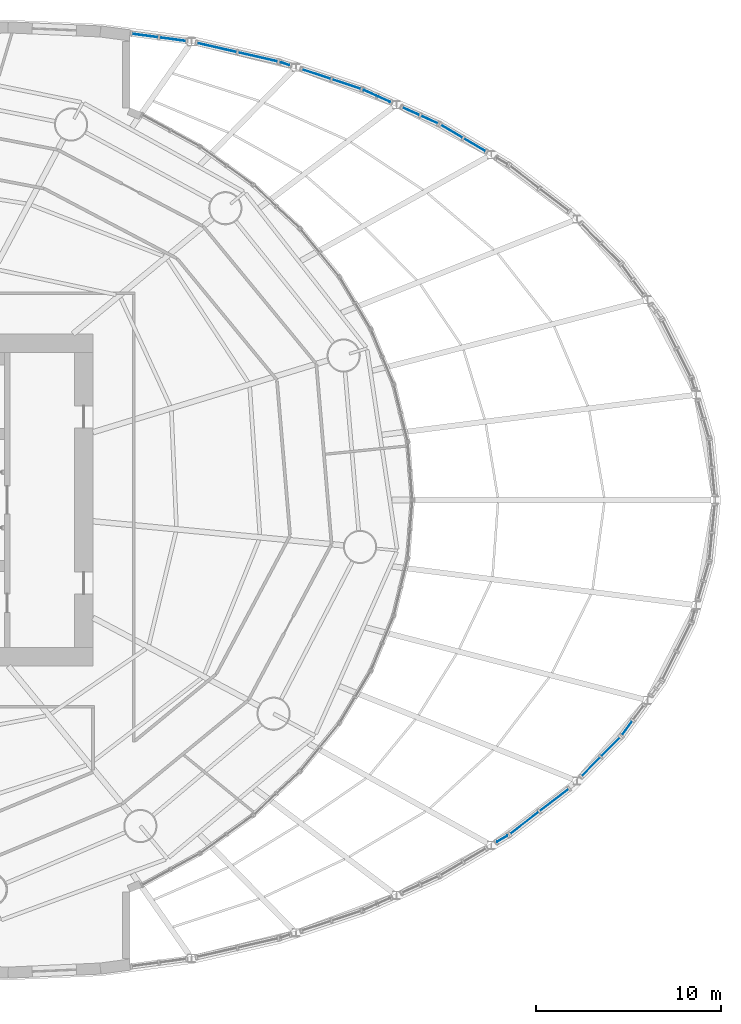
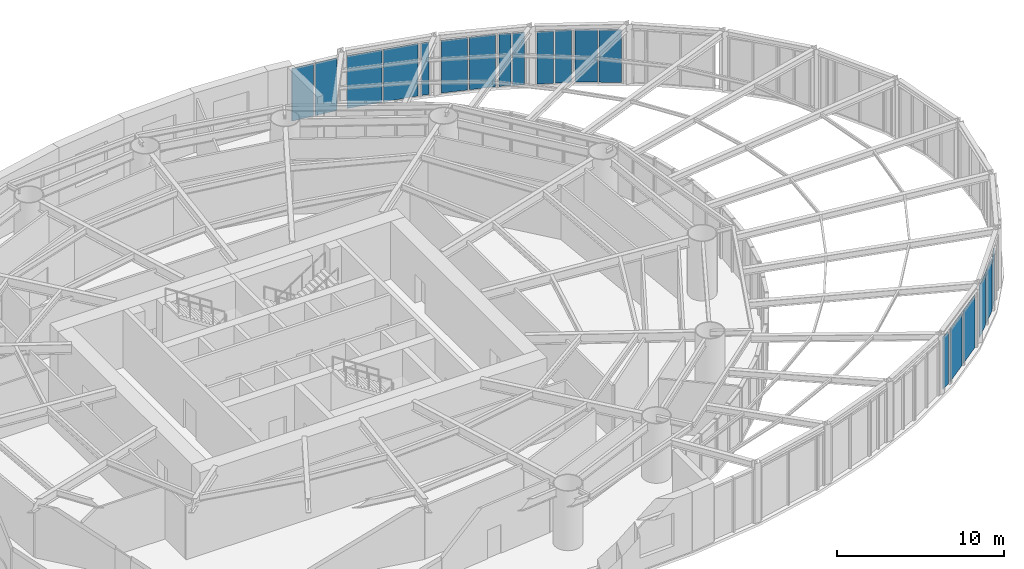
# One storey, part 16 of 23: 19 plates, 11 elements without a shape of their own.
"""IFC4 building model written with IfcOpenShell, lengths in metres."""

from ifc_helpers import new_model, si_unit, direction, frame, origin, origin_2d, place, context, subcontext, project, spatial, rectangle, extrude, material, layer, layer_set, type_object, element, aggregate, save


model = new_model("IFC4")

# Units and contexts
model_context = context("Model", 3, precision=1e-05, world=origin(), true_north=direction((0.0, 1.0)))
body_context = subcontext(model_context, "Body", "Model", "MODEL_VIEW")
ifc_project = project(units=[si_unit("LENGTHUNIT", "METRE"), si_unit("AREAUNIT", "SQUARE_METRE"), si_unit("VOLUMEUNIT", "CUBIC_METRE"), si_unit("PLANEANGLEUNIT", "RADIAN"), si_unit("MASSUNIT", "GRAM", prefix="KILO")], contexts=[model_context])

# Site, building, storey
site_placement = place(None, origin())
site = spatial("IfcSite", under=ifc_project, at=site_placement, CompositionType="ELEMENT")
building_placement = place(site_placement, origin())
building = spatial("IfcBuilding", under=site, at=building_placement, Name="Vermilion Reach Broadcast Tower", CompositionType="ELEMENT")
storey_placement = place(building_placement, frame((0.0, 0.0, 31.5)))
storey = spatial("IfcBuildingStorey", under=building, at=storey_placement, Name="L04", CompositionType="ELEMENT", Elevation=31.5)

# Curtain wall, plate
ifc_material_1 = material(Name="Low-e laminated clear glass in aluminium frame", Category="aluminium")
curtain_wall_type = type_object("IfcCurtainWallType", Name="Atrium outer wall curtain wall", PredefinedType="NOTDEFINED", material=ifc_material_1)
placement = place(storey_placement, origin())
curtain_wall_1 = element("IfcCurtainWall", 1, at=placement, inside=storey, type_object=curtain_wall_type, Name="Atrium wall L04 05-2", PredefinedType="NOTDEFINED")
ifc_material_2 = material(Name="Low-e laminated clear glass", Category="glass")
ifc_layer = layer(ifc_material_2, 0.035888671875)
ifc_layer_set = layer_set([ifc_layer], Name="Atrium outer wall glass panel")
plate_type = type_object("IfcPlateType", Name="Atrium outer wall glass panel", PredefinedType="CURTAIN_PANEL", material=ifc_layer_set)
plate_1_placement = place(storey_placement, frame((28.166748046875, -18.348876953125, 0.0), z_axis=(0.0, 0.0, 1.0), x_axis=(0.861009057017, 0.508589622127, 0.0)))
plate_1 = element("IfcPlate", 2, at=plate_1_placement, type_object=plate_type, Name="Atrium wall glass panel L04 05-2.1.1", PredefinedType="CURTAIN_PANEL", context=body_context, shape_type="SweptSolid", body=[
    extrude(rectangle(XDim=0.636474609375, YDim=0.035888671875, at=origin_2d()), origin(), (0.0, 0.0, 1.0), 3.840087890625),
])
aggregate(curtain_wall_1, [plate_1])

# Curtain wall, plates
curtain_wall_2 = element("IfcCurtainWall", 3, at=placement, inside=storey, type_object=curtain_wall_type, Name="Atrium wall L04 06", PredefinedType="NOTDEFINED")
plate_2_placement = place(storey_placement, frame((29.37158203125, -17.4873046875, 0.0), z_axis=(0.0, 0.0, 1.0), x_axis=(0.793082736826, 0.609113924113, 0.0)))
plate_2 = element("IfcPlate", 4, at=plate_2_placement, type_object=plate_type, Name="Atrium wall glass panel L04 06.1.1", PredefinedType="CURTAIN_PANEL", context=body_context, shape_type="SweptSolid", body=[
    extrude(rectangle(XDim=1.9296875, YDim=0.035888671875, at=origin_2d()), origin(), (0.0, 0.0, 1.0), 3.840087890625),
])
plate_3_placement = place(storey_placement, frame((30.981201171875, -16.2509765625, 0.0), z_axis=(0.0, 0.0, 1.0), x_axis=(0.793082736826, 0.609113924113, 0.0)))
plate_3 = element("IfcPlate", 5, at=plate_3_placement, type_object=plate_type, Name="Atrium wall glass panel L04 06.2.1", PredefinedType="CURTAIN_PANEL", context=body_context, shape_type="SweptSolid", body=[
    extrude(rectangle(XDim=1.9296875, YDim=0.035888671875, at=origin_2d()), origin(), (0.0, 0.0, 1.0), 3.840087890625),
])
aggregate(curtain_wall_2, [plate_2, plate_3])

curtain_wall_3 = element("IfcCurtainWall", 6, at=placement, inside=storey, type_object=curtain_wall_type, Name="Atrium wall L04 07", PredefinedType="NOTDEFINED")
plate_4_placement = place(storey_placement, frame((32.971435546875, -14.447509765625, 0.0), z_axis=(0.0, 0.0, 1.0), x_axis=(0.704276337997, 0.709925939614, 0.0)))
plate_4 = element("IfcPlate", 7, at=plate_4_placement, type_object=plate_type, Name="Atrium wall glass panel L04 07.1.1", PredefinedType="CURTAIN_PANEL", context=body_context, shape_type="SweptSolid", body=[
    extrude(rectangle(XDim=1.4091796875, YDim=0.035888671875, at=origin_2d()), origin(), (0.0, 0.0, 1.0), 3.840087890625),
])
plate_5_placement = place(storey_placement, frame((34.034423828125, -13.3759765625, 0.0), z_axis=(0.0, 0.0, 1.0), x_axis=(0.704276337997, 0.709925939614, 0.0)))
plate_5 = element("IfcPlate", 8, at=plate_5_placement, type_object=plate_type, Name="Atrium wall glass panel L04 07.2.1", PredefinedType="CURTAIN_PANEL", context=body_context, shape_type="SweptSolid", body=[
    extrude(rectangle(XDim=1.4091796875, YDim=0.035888671875, at=origin_2d()), origin(), (0.0, 0.0, 1.0), 3.840087890625),
])
aggregate(curtain_wall_3, [plate_4, plate_5])

# Curtain wall, plate
curtain_wall_4 = element("IfcCurtainWall", 9, at=placement, inside=storey, type_object=curtain_wall_type, Name="Atrium wall L04 08-1", PredefinedType="NOTDEFINED")
plate_6_placement = place(storey_placement, frame((34.93359375, -12.3505859375, 0.0), z_axis=(0.0, 0.0, 1.0), x_axis=(0.590759824697, 0.806847463604, 0.0)))
plate_6 = element("IfcPlate", 10, at=plate_6_placement, type_object=plate_type, Name="Atrium wall glass panel L04 08-1.1.1", PredefinedType="CURTAIN_PANEL", context=body_context, shape_type="SweptSolid", body=[
    extrude(rectangle(XDim=0.92578125, YDim=0.035888671875, at=origin_2d()), origin(), (0.0, 0.0, 1.0), 3.840087890625),
])
aggregate(curtain_wall_4, [plate_6])

# Curtain wall, plates
curtain_wall_5 = element("IfcCurtainWall", 11, at=placement, inside=storey, type_object=curtain_wall_type, Name="Atrium wall L04 18-2", PredefinedType="NOTDEFINED")
plate_7_placement = place(storey_placement, frame((26.669677734375, 19.233154296875, 0.0), z_axis=(0.0, 0.0, 1.0), x_axis=(-0.861009057017, 0.508589622127, 0.0)))
plate_7 = element("IfcPlate", 12, at=plate_7_placement, type_object=plate_type, Name="Atrium wall glass panel L04 18-2.1.1", PredefinedType="CURTAIN_PANEL", context=body_context, shape_type="SweptSolid", body=[
    extrude(rectangle(XDim=1.344970703125, YDim=0.035888671875, at=origin_2d()), origin(), (0.0, 0.0, 1.0), 3.840087890625),
])
plate_8_placement = place(storey_placement, frame((25.42578125, 19.968017578125, 0.0), z_axis=(0.0, 0.0, 1.0), x_axis=(-0.861009057017, 0.508589622127, 0.0)))
plate_8 = element("IfcPlate", 13, at=plate_8_placement, type_object=plate_type, Name="Atrium wall glass panel L04 18-2.2.1", PredefinedType="CURTAIN_PANEL", context=body_context, shape_type="SweptSolid", body=[
    extrude(rectangle(XDim=1.344970703125, YDim=0.035888671875, at=origin_2d()), origin(), (0.0, 0.0, 1.0), 3.840087890625),
])
aggregate(curtain_wall_5, [plate_7, plate_8])

curtain_wall_6 = element("IfcCurtainWall", 14, at=placement, inside=storey, type_object=curtain_wall_type, Name="Atrium wall L04 19-1", PredefinedType="NOTDEFINED")
plate_9_placement = place(storey_placement, frame((24.218017578125, 20.60498046875, 0.0), z_axis=(0.0, 0.0, 1.0), x_axis=(-0.911902064418, 0.410407876277, 0.0)))
plate_9 = element("IfcPlate", 15, at=plate_9_placement, type_object=plate_type, Name="Atrium wall glass panel L04 19-1.1.1", PredefinedType="CURTAIN_PANEL", context=body_context, shape_type="SweptSolid", body=[
    extrude(rectangle(XDim=0.990234375, YDim=0.035888671875, at=origin_2d()), origin(), (0.0, 0.0, 1.0), 3.840087890625),
])
plate_10_placement = place(storey_placement, frame((23.223876953125, 21.052490234375, 0.0), z_axis=(0.0, 0.0, 1.0), x_axis=(-0.911902064418, 0.410407876277, 0.0)))
plate_10 = element("IfcPlate", 16, at=plate_10_placement, type_object=plate_type, Name="Atrium wall glass panel L04 19-1.2.1", PredefinedType="CURTAIN_PANEL", context=body_context, shape_type="SweptSolid", body=[
    extrude(rectangle(XDim=0.990234375, YDim=0.035888671875, at=origin_2d()), origin(), (0.0, 0.0, 1.0), 3.840087890625),
])
aggregate(curtain_wall_6, [plate_9, plate_10])

curtain_wall_7 = element("IfcCurtainWall", 17, at=placement, inside=storey, type_object=curtain_wall_type, Name="Atrium wall L04 19-2", PredefinedType="NOTDEFINED")
plate_11_placement = place(storey_placement, frame((21.76123046875, 21.710693359375, 0.0), z_axis=(0.0, 0.0, 1.0), x_axis=(-0.911902064418, 0.410407876277, 0.0)))
plate_11 = element("IfcPlate", 18, at=plate_11_placement, type_object=plate_type, Name="Atrium wall glass panel L04 19-2.1.1", PredefinedType="CURTAIN_PANEL", context=body_context, shape_type="SweptSolid", body=[
    extrude(rectangle(XDim=0.721923828125, YDim=0.035888671875, at=origin_2d()), origin(), (0.0, 0.0, 1.0), 3.840087890625),
])
plate_12_placement = place(storey_placement, frame((21.01171875, 22.048095703125, 0.0), z_axis=(0.0, 0.0, 1.0), x_axis=(-0.911902064418, 0.410407876277, 0.0)))
plate_12 = element("IfcPlate", 19, at=plate_12_placement, type_object=plate_type, Name="Atrium wall glass panel L04 19-2.2.1", PredefinedType="CURTAIN_PANEL", context=body_context, shape_type="SweptSolid", body=[
    extrude(rectangle(XDim=0.721923828125, YDim=0.035888671875, at=origin_2d()), origin(), (0.0, 0.0, 1.0), 3.840087890625),
])
aggregate(curtain_wall_7, [plate_11, plate_12])

curtain_wall_8 = element("IfcCurtainWall", 20, at=placement, inside=storey, type_object=curtain_wall_type, Name="Atrium wall L04 20-1", PredefinedType="NOTDEFINED")
plate_13_placement = place(storey_placement, frame((19.73095703125, 22.52294921875, 0.0), z_axis=(0.0, 0.0, 1.0), x_axis=(-0.949015935462, 0.315228098746, 0.0)))
plate_13 = element("IfcPlate", 21, at=plate_13_placement, type_object=plate_type, Name="Atrium wall glass panel L04 20-1.1.1", PredefinedType="CURTAIN_PANEL", context=body_context, shape_type="SweptSolid", body=[
    extrude(rectangle(XDim=1.61328125, YDim=0.035888671875, at=origin_2d()), origin(), (0.0, 0.0, 1.0), 3.840087890625),
])
plate_14_placement = place(storey_placement, frame((18.10498046875, 23.06298828125, 0.0), z_axis=(0.0, 0.0, 1.0), x_axis=(-0.949015935462, 0.315228098746, 0.0)))
plate_14 = element("IfcPlate", 22, at=plate_14_placement, type_object=plate_type, Name="Atrium wall glass panel L04 20-1.2.1", PredefinedType="CURTAIN_PANEL", context=body_context, shape_type="SweptSolid", body=[
    extrude(rectangle(XDim=1.61328125, YDim=0.035888671875, at=origin_2d()), origin(), (0.0, 0.0, 1.0), 3.840087890625),
])
aggregate(curtain_wall_8, [plate_13, plate_14])

# Curtain wall, plate
curtain_wall_9 = element("IfcCurtainWall", 23, at=placement, inside=storey, type_object=curtain_wall_type, Name="Atrium wall L04 20-2", PredefinedType="NOTDEFINED")
plate_15_placement = place(storey_placement, frame((16.40771484375, 23.626708984375, 0.0), z_axis=(0.0, 0.0, 1.0), x_axis=(-0.949015935462, 0.315228098746, 0.0)))
plate_15 = element("IfcPlate", 24, at=plate_15_placement, type_object=plate_type, Name="Atrium wall glass panel L04 20-2.1.1", PredefinedType="CURTAIN_PANEL", context=body_context, shape_type="SweptSolid", body=[
    extrude(rectangle(XDim=0.467529296875, YDim=0.035888671875, at=origin_2d()), origin(), (0.0, 0.0, 1.0), 3.840087890625),
])
aggregate(curtain_wall_9, [plate_15])

# Curtain wall, plates
curtain_wall_10 = element("IfcCurtainWall", 25, at=placement, inside=storey, type_object=curtain_wall_type, Name="Atrium wall L04 21", PredefinedType="NOTDEFINED")
plate_16_placement = place(storey_placement, frame((14.930419921875, 23.997314453125, 0.0), z_axis=(0.0, 0.0, 1.0), x_axis=(-0.974843253478, 0.222891523278, 0.0)))
plate_16 = element("IfcPlate", 26, at=plate_16_placement, type_object=plate_type, Name="Atrium wall glass panel L04 21.1.1", PredefinedType="CURTAIN_PANEL", context=body_context, shape_type="SweptSolid", body=[
    extrude(rectangle(XDim=2.18115234375, YDim=0.035888671875, at=origin_2d()), origin(), (0.0, 0.0, 1.0), 3.840087890625),
])
plate_17_placement = place(storey_placement, frame((12.70654296875, 24.505859375, 0.0), z_axis=(0.0, 0.0, 1.0), x_axis=(-0.974843253478, 0.222891523278, 0.0)))
plate_17 = element("IfcPlate", 27, at=plate_17_placement, type_object=plate_type, Name="Atrium wall glass panel L04 21.2.1", PredefinedType="CURTAIN_PANEL", context=body_context, shape_type="SweptSolid", body=[
    extrude(rectangle(XDim=2.18115234375, YDim=0.035888671875, at=origin_2d()), origin(), (0.0, 0.0, 1.0), 3.840087890625),
])
aggregate(curtain_wall_10, [plate_16, plate_17])

curtain_wall_11 = element("IfcCurtainWall", 28, at=placement, inside=storey, type_object=curtain_wall_type, Name="Atrium wall L04 22", PredefinedType="NOTDEFINED")
plate_18_placement = place(storey_placement, frame((10.322265625, 24.954833984375, 0.0), z_axis=(0.0, 0.0, 1.0), x_axis=(-0.991143697753, 0.132793713723, 0.0)))
plate_18 = element("IfcPlate", 29, at=plate_18_placement, type_object=plate_type, Name="Atrium wall glass panel L04 22.1.1", PredefinedType="CURTAIN_PANEL", context=body_context, shape_type="SweptSolid", body=[
    extrude(rectangle(XDim=1.419921875, YDim=0.035888671875, at=origin_2d()), origin(), (0.0, 0.0, 1.0), 3.840087890625),
])
plate_19_placement = place(storey_placement, frame((8.81591796875, 25.15673828125, 0.0), z_axis=(0.0, 0.0, 1.0), x_axis=(-0.991143697753, 0.132793713723, 0.0)))
plate_19 = element("IfcPlate", 30, at=plate_19_placement, type_object=plate_type, Name="Atrium wall glass panel L04 22.2.1", PredefinedType="CURTAIN_PANEL", context=body_context, shape_type="SweptSolid", body=[
    extrude(rectangle(XDim=1.419921875, YDim=0.035888671875, at=origin_2d()), origin(), (0.0, 0.0, 1.0), 3.840087890625),
])
aggregate(curtain_wall_11, [plate_18, plate_19])

save(model, "model.ifc")
